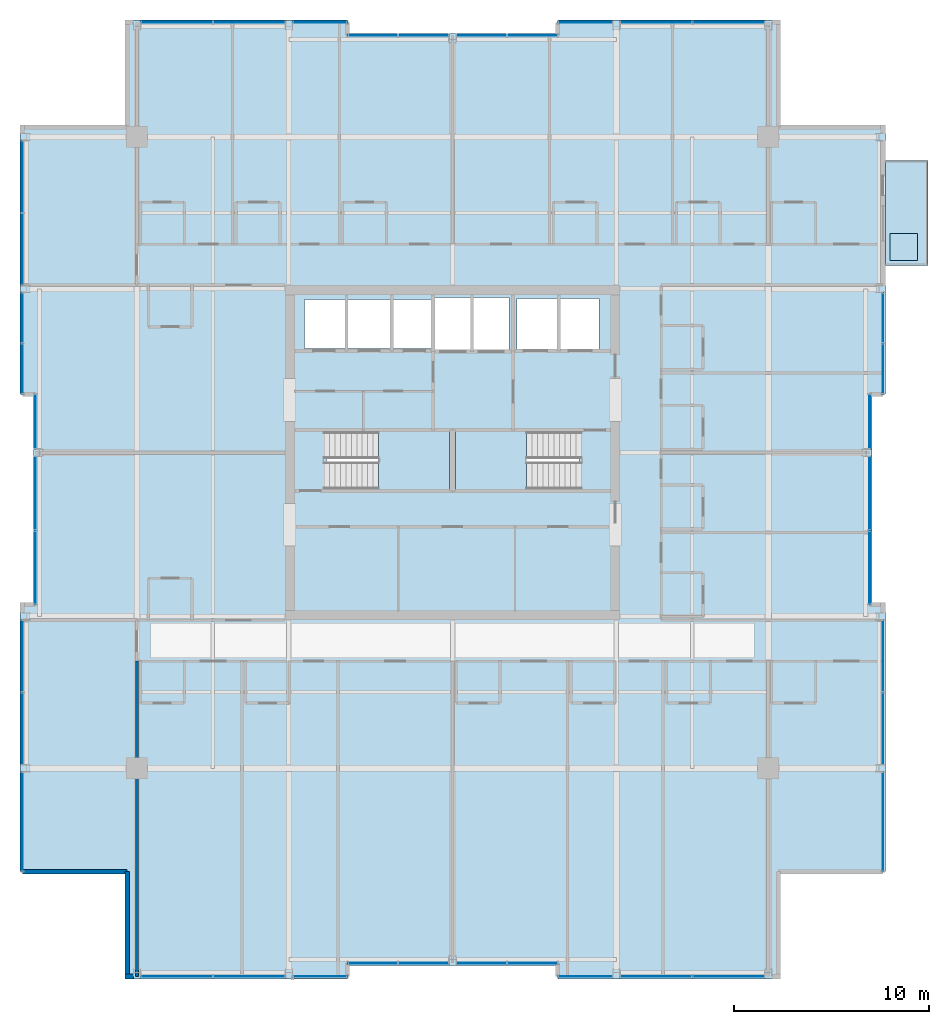
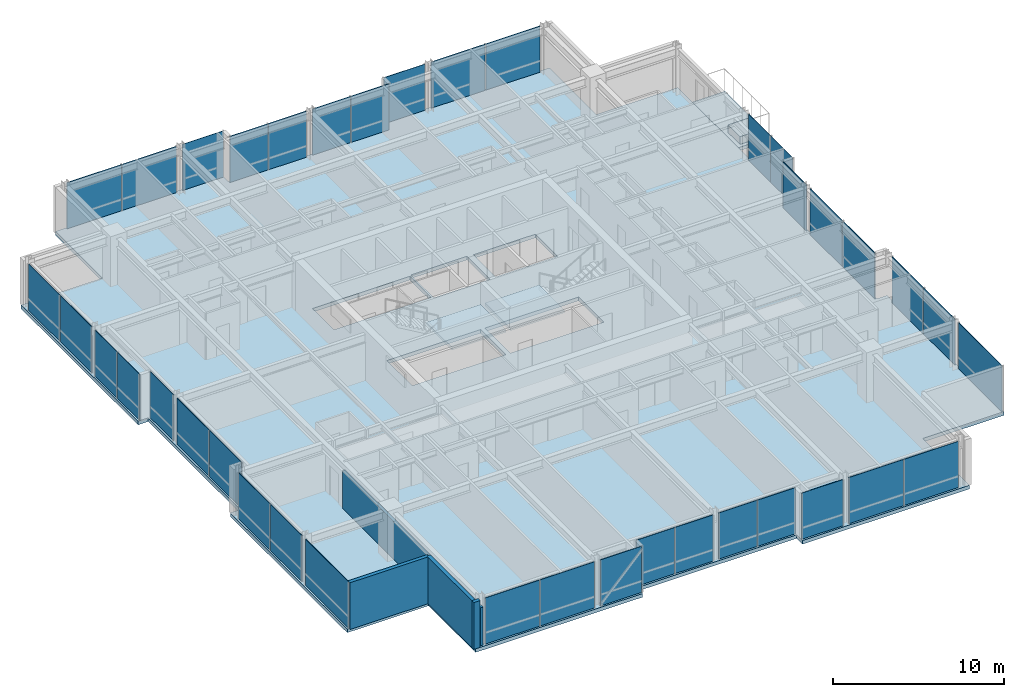
# One storey, part 26 of 34: 38 plates, 5 slabs, 4 walls, 25 elements without a shape of their own.
"""IFC4 building model written with IfcOpenShell, lengths in metres."""

from ifc_helpers import new_model, si_unit, direction, frame, frame_2d, origin, origin_2d, place, context, subcontext, project, spatial, polyline, rectangle, outline, extrude, material, layer, layer_set, type_object, element, aggregate, save


model = new_model("IFC4")

# Units and contexts
model_context = context("Model", 3, precision=1e-05, world=origin(), true_north=direction((0.0, 1.0)))
body_context = subcontext(model_context, "Body", "Model", "MODEL_VIEW")
ifc_project = project(units=[si_unit("LENGTHUNIT", "METRE"), si_unit("AREAUNIT", "SQUARE_METRE"), si_unit("VOLUMEUNIT", "CUBIC_METRE"), si_unit("PLANEANGLEUNIT", "RADIAN"), si_unit("MASSUNIT", "GRAM", prefix="KILO")], contexts=[model_context])

# Site, building, storey
site_placement = place(None, origin())
site = spatial("IfcSite", under=ifc_project, at=site_placement, CompositionType="ELEMENT")
building_placement = place(site_placement, origin())
building = spatial("IfcBuilding", under=site, at=building_placement, Name="Drelvath Grand Hotel", CompositionType="ELEMENT")
storey_placement = place(building_placement, frame((0.0, 0.0, 208.699951171875)))
storey = spatial("IfcBuildingStorey", under=building, at=storey_placement, Name="L54", CompositionType="ELEMENT", Elevation=208.699951171875)

# Slabs
ifc_material_1 = material(Name="Concrete f'c 40 MPa", Category="concrete")
ifc_layer_1 = layer(ifc_material_1, 0.239990234375)
ifc_layer_set_1 = layer_set([ifc_layer_1], Name="Concrete f'c 40 MPa")
slab_type_1 = type_object("IfcSlabType", Name="Cantilevered Tree Balcony Slab 240", PredefinedType="FLOOR", material=ifc_layer_set_1)
slab_1_placement = place(storey_placement, frame((0.0, 0.0, -0.239990234375)))
element("IfcSlab", 1, at=slab_1_placement, inside=storey, type_object=slab_type_1, Name="L54 Cantilevered Tree Balcony Slab 1", PredefinedType="FLOOR", context=body_context, shape_type="SweptSolid", body=[
    extrude(outline(polyline([(22.199951171875, 36.60009765625), (24.39990234375, 36.60009765625), (24.39990234375, 42.0), (22.199951171875, 42.0), (22.199951171875, 36.60009765625)])), origin(), (0.0, 0.0, 1.0), 0.239990234375),
])
ifc_layer_2 = layer(ifc_material_1, 0.260009765625)
ifc_layer_set_2 = layer_set([ifc_layer_2], Name="Concrete f'c 40 MPa")
slab_type_2 = type_object("IfcSlabType", Name="Composite RC Floor Slab 260", PredefinedType="FLOOR", material=ifc_layer_set_2)
slab_2_placement = place(storey_placement, frame((0.0, 0.0, -0.260009765625)))
element("IfcSlab", 2, at=slab_2_placement, inside=storey, type_object=slab_type_2, Name="L54 Structural Floor Slab", PredefinedType="FLOOR", context=body_context, shape_type="SweptSolid", body=[
    extrude(outline(polyline([(-16.699951171875, 0.0), (-5.39990234375, 0.0), (-5.39990234375, 0.679931640625), (5.39990234375, 0.679931640625), (5.39990234375, 0.0), (16.699951171875, 0.0), (16.699951171875, 5.5), (22.199951171875, 5.5), (22.199951171875, 19.199951171875), (21.52001953125, 19.199951171875), (21.52001953125, 30.0), (22.199951171875, 30.0), (22.199951171875, 43.699951171875), (16.699951171875, 43.699951171875), (16.699951171875, 49.199951171875), (5.39990234375, 49.199951171875), (5.39990234375, 48.52001953125), (-5.39990234375, 48.52001953125), (-5.39990234375, 49.199951171875), (-16.699951171875, 49.199951171875), (-16.699951171875, 43.699951171875), (-22.199951171875, 43.699951171875), (-22.199951171875, 30.0), (-21.52001953125, 30.0), (-21.52001953125, 19.199951171875), (-22.199951171875, 19.199951171875), (-22.199951171875, 5.5), (-16.699951171875, 5.5), (-16.699951171875, 0.0)]), holes=[polyline([(-6.47998046875, 25.1201171875), (-6.47998046875, 28.080078125), (-0.14990234375, 28.080078125), (-0.14990234375, 25.1201171875), (-6.47998046875, 25.1201171875)]), polyline([(0.14990234375, 25.1201171875), (0.14990234375, 28.080078125), (6.47998046875, 28.080078125), (6.47998046875, 25.1201171875), (0.14990234375, 25.1201171875)]), polyline([(-7.60009765625, 32.35009765625), (-7.60009765625, 34.85009765625), (-1.02001953125, 34.85009765625), (-1.02001953125, 32.35009765625), (-7.60009765625, 32.35009765625)]), polyline([(-0.89990234375, 32.25), (-0.89990234375, 34.949951171875), (2.89990234375, 34.949951171875), (2.89990234375, 32.25), (-0.89990234375, 32.25)]), polyline([(3.300048828125, 32.300048828125), (3.300048828125, 34.89990234375), (7.5, 34.89990234375), (7.5, 32.300048828125), (3.300048828125, 32.300048828125)])]), origin(), (0.0, 0.0, 1.0), 0.260009765625),
])

# Stair, slab
ifc_material_2 = material(Name="Concrete C40/50", Category="concrete")
stair_type = type_object("IfcStairType", Name="Dogleg Exit Stair W1400-R163.6", PredefinedType="HALF_TURN_STAIR", material=ifc_material_2)
stair_1_placement = place(storey_placement, origin())
stair_1 = element("IfcStair", 3, at=stair_1_placement, inside=storey, type_object=stair_type, Name="L54 Core Exit Stair ST-1", PredefinedType="HALF_TURN_STAIR")
ifc_layer_3 = layer(ifc_material_2, 0.199951171875)
ifc_layer_set_3 = layer_set([ifc_layer_3], Name="Concrete C40/50")
slab_type_3 = type_object("IfcSlabType", Name="Concrete Stair Landing Slab 200", PredefinedType="LANDING", material=ifc_layer_set_3)
slab_3_placement = place(storey_placement, frame((0.0, 0.0, 1.60009765625)))
slab_3 = element("IfcSlab", 4, at=slab_3_placement, type_object=slab_type_3, Name="ST-1 landing 1", PredefinedType="LANDING", context=body_context, shape_type="SweptSolid", body=[
    extrude(outline(polyline([(-3.800048828125, 25.1201171875), (-0.14990234375, 25.1201171875), (-0.14990234375, 28.080078125), (-3.800048828125, 28.080078125), (-3.800048828125, 25.1201171875)])), origin(), (0.0, 0.0, 1.0), 0.199951171875),
])
aggregate(stair_1, [slab_3])

stair_2_placement = place(storey_placement, origin())
stair_2 = element("IfcStair", 5, at=stair_2_placement, inside=storey, type_object=stair_type, Name="L54 Core Exit Stair ST-2", PredefinedType="HALF_TURN_STAIR")
slab_4_placement = place(storey_placement, frame((0.0, 0.0, 1.60009765625)))
slab_4 = element("IfcSlab", 6, at=slab_4_placement, type_object=slab_type_3, Name="ST-2 landing 1", PredefinedType="LANDING", context=body_context, shape_type="SweptSolid", body=[
    extrude(outline(polyline([(3.800048828125, 28.080078125), (0.14990234375, 28.080078125), (0.14990234375, 25.1201171875), (3.800048828125, 25.1201171875), (3.800048828125, 28.080078125)])), origin(), (0.0, 0.0, 1.0), 0.199951171875),
])
aggregate(stair_2, [slab_4])

# Curtain wall, plate
ifc_material_3 = material(Name="Platinum-Mist Anodised Aluminium Frame", Category="aluminium")
ifc_layer_4 = layer(ifc_material_3, 0.199951171875)
ifc_layer_set_4 = layer_set([ifc_layer_4], Name="Platinum-Mist Anodised Aluminium Frame")
curtain_wall_type = type_object("IfcCurtainWallType", Name="Stick Curtain Wall CW-05 Platinum Mist High-Rise", PredefinedType="NOTDEFINED", material=ifc_layer_set_4)
curtain_wall_1_placement = place(storey_placement, origin())
curtain_wall_1 = element("IfcCurtainWall", 7, at=curtain_wall_1_placement, inside=storey, type_object=curtain_wall_type, Name="L54 CW-05 Curtain Wall CW05-L54-WS1", PredefinedType="NOTDEFINED")
ifc_material_4 = material(Name="Low-E Triple Silver High-Altitude Glass", Category="glass")
ifc_layer_5 = layer(ifc_material_4, 0.035888671875)
ifc_layer_set_5 = layer_set([ifc_layer_5], Name="Low-E Triple Silver High-Altitude Glass")
plate_type = type_object("IfcPlateType", Name="Curtain Wall Vision Panel CW-05 36mm", PredefinedType="CURTAIN_PANEL", material=ifc_layer_set_5)
plate_1_placement = place(storey_placement, frame((-22.080078125, 8.057373046875, 0.02001953125), z_axis=(0.0, 0.0, 1.0), x_axis=(0.0, 1.0, 0.0)))
plate_1 = element("IfcPlate", 8, at=plate_1_placement, type_object=plate_type, Name="CW05-L54-WS1 Glazed Panel 1", PredefinedType="CURTAIN_PANEL", context=body_context, shape_type="SweptSolid", body=[
    extrude(rectangle(XDim=5.07470703125, YDim=0.035888671875, at=origin_2d()), origin(), (0.0, 0.0, 1.0), 3.300048828125),
])
aggregate(curtain_wall_1, [plate_1])

# Curtain wall, plates
curtain_wall_2_placement = place(storey_placement, origin())
curtain_wall_2 = element("IfcCurtainWall", 9, at=curtain_wall_2_placement, inside=storey, type_object=curtain_wall_type, Name="L54 CW-05 Curtain Wall CW05-L54-WS2", PredefinedType="NOTDEFINED")
plate_2_placement = place(storey_placement, frame((-22.080078125, 12.842529296875, 0.02001953125), z_axis=(0.0, 0.0, 1.0), x_axis=(0.0, 1.0, 0.0)))
plate_2 = element("IfcPlate", 10, at=plate_2_placement, type_object=plate_type, Name="CW05-L54-WS2 Glazed Panel 1", PredefinedType="CURTAIN_PANEL", context=body_context, shape_type="SweptSolid", body=[
    extrude(rectangle(XDim=3.6748046875, YDim=0.035888671875, at=origin_2d()), origin(), (0.0, 0.0, 1.0), 3.300048828125),
])
plate_3_placement = place(storey_placement, frame((-22.080078125, 16.557373046875, 0.02001953125), z_axis=(0.0, 0.0, 1.0), x_axis=(0.0, 1.0, 0.0)))
plate_3 = element("IfcPlate", 11, at=plate_3_placement, type_object=plate_type, Name="CW05-L54-WS2 Glazed Panel 2", PredefinedType="CURTAIN_PANEL", context=body_context, shape_type="SweptSolid", body=[
    extrude(rectangle(XDim=3.6748046875, YDim=0.035888671875, at=origin_2d()), origin(), (0.0, 0.0, 1.0), 3.300048828125),
])
aggregate(curtain_wall_2, [plate_2, plate_3])

curtain_wall_3_placement = place(storey_placement, origin())
curtain_wall_3 = element("IfcCurtainWall", 12, at=curtain_wall_3_placement, inside=storey, type_object=curtain_wall_type, Name="L54 CW-05 Curtain Wall CW05-L54-WM1", PredefinedType="NOTDEFINED")
plate_4_placement = place(storey_placement, frame((-21.39990234375, 21.103759765625, 0.02001953125), z_axis=(0.0, 0.0, 1.0), x_axis=(0.0, 1.0, 0.0)))
plate_4 = element("IfcPlate", 13, at=plate_4_placement, type_object=plate_type, Name="CW05-L54-WM1 Glazed Panel 1", PredefinedType="CURTAIN_PANEL", context=body_context, shape_type="SweptSolid", body=[
    extrude(rectangle(XDim=3.767333984375, YDim=0.035888671875, at=origin_2d()), origin(), (0.0, 0.0, 1.0), 3.300048828125),
])
plate_5_placement = place(storey_placement, frame((-21.39990234375, 24.910888671875, 0.02001953125), z_axis=(0.0, 0.0, 1.0), x_axis=(0.0, 1.0, 0.0)))
plate_5 = element("IfcPlate", 14, at=plate_5_placement, type_object=plate_type, Name="CW05-L54-WM1 Glazed Panel 2", PredefinedType="CURTAIN_PANEL", context=body_context, shape_type="SweptSolid", body=[
    extrude(rectangle(XDim=3.767333984375, YDim=0.035888671875, at=origin_2d()), origin(), (0.0, 0.0, 1.0), 3.300048828125),
])
aggregate(curtain_wall_3, [plate_4, plate_5])

# Curtain wall, plate
curtain_wall_4_placement = place(storey_placement, origin())
curtain_wall_4 = element("IfcCurtainWall", 15, at=curtain_wall_4_placement, inside=storey, type_object=curtain_wall_type, Name="L54 CW-05 Curtain Wall CW05-L54-WM2", PredefinedType="NOTDEFINED")
plate_6_placement = place(storey_placement, frame((-21.39990234375, 28.592529296875, 0.02001953125), z_axis=(0.0, 0.0, 1.0), x_axis=(0.0, 1.0, 0.0)))
plate_6 = element("IfcPlate", 16, at=plate_6_placement, type_object=plate_type, Name="CW05-L54-WM2 Glazed Panel 1", PredefinedType="CURTAIN_PANEL", context=body_context, shape_type="SweptSolid", body=[
    extrude(rectangle(XDim=2.774658203125, YDim=0.035888671875, at=origin_2d()), origin(), (0.0, 0.0, 1.0), 3.300048828125),
])
aggregate(curtain_wall_4, [plate_6])

# Curtain wall, plates
curtain_wall_5_placement = place(storey_placement, origin())
curtain_wall_5 = element("IfcCurtainWall", 17, at=curtain_wall_5_placement, inside=storey, type_object=curtain_wall_type, Name="L54 CW-05 Curtain Wall CW05-L54-WN1", PredefinedType="NOTDEFINED")
plate_7_placement = place(storey_placement, frame((-22.080078125, 31.3037109375, 0.02001953125), z_axis=(0.0, 0.0, 1.0), x_axis=(0.0, 1.0, 0.0)))
plate_7 = element("IfcPlate", 18, at=plate_7_placement, type_object=plate_type, Name="CW05-L54-WN1 Glazed Panel 1", PredefinedType="CURTAIN_PANEL", context=body_context, shape_type="SweptSolid", body=[
    extrude(rectangle(XDim=2.5673828125, YDim=0.035888671875, at=origin_2d()), origin(), (0.0, 0.0, 1.0), 3.300048828125),
])
plate_8_placement = place(storey_placement, frame((-22.080078125, 33.9111328125, 0.02001953125), z_axis=(0.0, 0.0, 1.0), x_axis=(0.0, 1.0, 0.0)))
plate_8 = element("IfcPlate", 19, at=plate_8_placement, type_object=plate_type, Name="CW05-L54-WN1 Glazed Panel 2", PredefinedType="CURTAIN_PANEL", context=body_context, shape_type="SweptSolid", body=[
    extrude(rectangle(XDim=2.5673828125, YDim=0.035888671875, at=origin_2d()), origin(), (0.0, 0.0, 1.0), 3.300048828125),
])
aggregate(curtain_wall_5, [plate_7, plate_8])

curtain_wall_6_placement = place(storey_placement, origin())
curtain_wall_6 = element("IfcCurtainWall", 20, at=curtain_wall_6_placement, inside=storey, type_object=curtain_wall_type, Name="L54 CW-05 Curtain Wall CW05-L54-WN2", PredefinedType="NOTDEFINED")
plate_9_placement = place(storey_placement, frame((-22.080078125, 37.442626953125, 0.02001953125), z_axis=(0.0, 0.0, 1.0), x_axis=(0.0, 1.0, 0.0)))
plate_9 = element("IfcPlate", 21, at=plate_9_placement, type_object=plate_type, Name="CW05-L54-WN2 Glazed Panel 1", PredefinedType="CURTAIN_PANEL", context=body_context, shape_type="SweptSolid", body=[
    extrude(rectangle(XDim=3.6748046875, YDim=0.035888671875, at=origin_2d()), origin(), (0.0, 0.0, 1.0), 3.300048828125),
])
plate_10_placement = place(storey_placement, frame((-22.080078125, 41.157470703125, 0.02001953125), z_axis=(0.0, 0.0, 1.0), x_axis=(0.0, 1.0, 0.0)))
plate_10 = element("IfcPlate", 22, at=plate_10_placement, type_object=plate_type, Name="CW05-L54-WN2 Glazed Panel 2", PredefinedType="CURTAIN_PANEL", context=body_context, shape_type="SweptSolid", body=[
    extrude(rectangle(XDim=3.6748046875, YDim=0.035888671875, at=origin_2d()), origin(), (0.0, 0.0, 1.0), 3.300048828125),
])
aggregate(curtain_wall_6, [plate_9, plate_10])

curtain_wall_7_placement = place(storey_placement, origin())
curtain_wall_7 = element("IfcCurtainWall", 23, at=curtain_wall_7_placement, inside=storey, type_object=curtain_wall_type, Name="L54 CW-05 Curtain Wall CW05-L54-EN1", PredefinedType="NOTDEFINED")
plate_11_placement = place(storey_placement, frame((22.080078125, 33.9111328125, 0.02001953125), z_axis=(0.0, 0.0, 1.0), x_axis=(0.0, -1.0, 0.0)))
plate_11 = element("IfcPlate", 24, at=plate_11_placement, type_object=plate_type, Name="CW05-L54-EN1 Glazed Panel 1", PredefinedType="CURTAIN_PANEL", context=body_context, shape_type="SweptSolid", body=[
    extrude(rectangle(XDim=2.5673828125, YDim=0.035888671875, at=origin_2d()), origin(), (0.0, 0.0, 1.0), 3.300048828125),
])
plate_12_placement = place(storey_placement, frame((22.080078125, 31.3037109375, 0.02001953125), z_axis=(0.0, 0.0, 1.0), x_axis=(0.0, -1.0, 0.0)))
plate_12 = element("IfcPlate", 25, at=plate_12_placement, type_object=plate_type, Name="CW05-L54-EN1 Glazed Panel 2", PredefinedType="CURTAIN_PANEL", context=body_context, shape_type="SweptSolid", body=[
    extrude(rectangle(XDim=2.5673828125, YDim=0.035888671875, at=origin_2d()), origin(), (0.0, 0.0, 1.0), 3.300048828125),
])
aggregate(curtain_wall_7, [plate_11, plate_12])

curtain_wall_8_placement = place(storey_placement, origin())
curtain_wall_8 = element("IfcCurtainWall", 26, at=curtain_wall_8_placement, inside=storey, type_object=curtain_wall_type, Name="L54 CW-05 Curtain Wall CW05-L54-EM1", PredefinedType="NOTDEFINED")
plate_13_placement = place(storey_placement, frame((21.39990234375, 24.910888671875, 0.02001953125), z_axis=(0.0, 0.0, 1.0), x_axis=(0.0, -1.0, 0.0)))
plate_13 = element("IfcPlate", 27, at=plate_13_placement, type_object=plate_type, Name="CW05-L54-EM1 Glazed Panel 1", PredefinedType="CURTAIN_PANEL", context=body_context, shape_type="SweptSolid", body=[
    extrude(rectangle(XDim=3.767333984375, YDim=0.035888671875, at=origin_2d()), origin(), (0.0, 0.0, 1.0), 3.300048828125),
])
plate_14_placement = place(storey_placement, frame((21.39990234375, 21.103759765625, 0.02001953125), z_axis=(0.0, 0.0, 1.0), x_axis=(0.0, -1.0, 0.0)))
plate_14 = element("IfcPlate", 28, at=plate_14_placement, type_object=plate_type, Name="CW05-L54-EM1 Glazed Panel 2", PredefinedType="CURTAIN_PANEL", context=body_context, shape_type="SweptSolid", body=[
    extrude(rectangle(XDim=3.767333984375, YDim=0.035888671875, at=origin_2d()), origin(), (0.0, 0.0, 1.0), 3.300048828125),
])
aggregate(curtain_wall_8, [plate_13, plate_14])

# Curtain wall, plate
curtain_wall_9_placement = place(storey_placement, origin())
curtain_wall_9 = element("IfcCurtainWall", 29, at=curtain_wall_9_placement, inside=storey, type_object=curtain_wall_type, Name="L54 CW-05 Curtain Wall CW05-L54-EM2", PredefinedType="NOTDEFINED")
plate_15_placement = place(storey_placement, frame((21.39990234375, 28.592529296875, 0.02001953125), z_axis=(0.0, 0.0, 1.0), x_axis=(0.0, -1.0, 0.0)))
plate_15 = element("IfcPlate", 30, at=plate_15_placement, type_object=plate_type, Name="CW05-L54-EM2 Glazed Panel 1", PredefinedType="CURTAIN_PANEL", context=body_context, shape_type="SweptSolid", body=[
    extrude(rectangle(XDim=2.774658203125, YDim=0.035888671875, at=origin_2d()), origin(), (0.0, 0.0, 1.0), 3.300048828125),
])
aggregate(curtain_wall_9, [plate_15])

curtain_wall_10_placement = place(storey_placement, origin())
curtain_wall_10 = element("IfcCurtainWall", 31, at=curtain_wall_10_placement, inside=storey, type_object=curtain_wall_type, Name="L54 CW-05 Curtain Wall CW05-L54-ES1", PredefinedType="NOTDEFINED")
plate_16_placement = place(storey_placement, frame((22.080078125, 8.057373046875, 0.02001953125), z_axis=(0.0, 0.0, 1.0), x_axis=(0.0, -1.0, 0.0)))
plate_16 = element("IfcPlate", 32, at=plate_16_placement, type_object=plate_type, Name="CW05-L54-ES1 Glazed Panel 1", PredefinedType="CURTAIN_PANEL", context=body_context, shape_type="SweptSolid", body=[
    extrude(rectangle(XDim=5.07470703125, YDim=0.035888671875, at=origin_2d()), origin(), (0.0, 0.0, 1.0), 3.300048828125),
])
aggregate(curtain_wall_10, [plate_16])

# Curtain wall, plates
curtain_wall_11_placement = place(storey_placement, origin())
curtain_wall_11 = element("IfcCurtainWall", 33, at=curtain_wall_11_placement, inside=storey, type_object=curtain_wall_type, Name="L54 CW-05 Curtain Wall CW05-L54-ES2", PredefinedType="NOTDEFINED")
plate_17_placement = place(storey_placement, frame((22.080078125, 16.557373046875, 0.02001953125), z_axis=(0.0, 0.0, 1.0), x_axis=(0.0, -1.0, 0.0)))
plate_17 = element("IfcPlate", 34, at=plate_17_placement, type_object=plate_type, Name="CW05-L54-ES2 Glazed Panel 1", PredefinedType="CURTAIN_PANEL", context=body_context, shape_type="SweptSolid", body=[
    extrude(rectangle(XDim=3.6748046875, YDim=0.035888671875, at=origin_2d()), origin(), (0.0, 0.0, 1.0), 3.300048828125),
])
plate_18_placement = place(storey_placement, frame((22.080078125, 12.842529296875, 0.02001953125), z_axis=(0.0, 0.0, 1.0), x_axis=(0.0, -1.0, 0.0)))
plate_18 = element("IfcPlate", 35, at=plate_18_placement, type_object=plate_type, Name="CW05-L54-ES2 Glazed Panel 2", PredefinedType="CURTAIN_PANEL", context=body_context, shape_type="SweptSolid", body=[
    extrude(rectangle(XDim=3.6748046875, YDim=0.035888671875, at=origin_2d()), origin(), (0.0, 0.0, 1.0), 3.300048828125),
])
aggregate(curtain_wall_11, [plate_17, plate_18])

curtain_wall_12_placement = place(storey_placement, origin())
curtain_wall_12 = element("IfcCurtainWall", 36, at=curtain_wall_12_placement, inside=storey, type_object=curtain_wall_type, Name="L54 CW-05 Curtain Wall CW05-L54-NW2", PredefinedType="NOTDEFINED")
plate_19_placement = place(storey_placement, frame((-14.157470703125, 49.080078125, 0.02001953125), z_axis=(0.0, 0.0, 1.0), x_axis=(1.0, 0.0, 0.0)))
plate_19 = element("IfcPlate", 37, at=plate_19_placement, type_object=plate_type, Name="CW05-L54-NW2 Glazed Panel 1", PredefinedType="CURTAIN_PANEL", context=body_context, shape_type="SweptSolid", body=[
    extrude(rectangle(XDim=3.6748046875, YDim=0.035888671875, at=origin_2d()), origin(), (0.0, 0.0, 1.0), 3.300048828125),
])
plate_20_placement = place(storey_placement, frame((-10.442626953125, 49.080078125, 0.02001953125), z_axis=(0.0, 0.0, 1.0), x_axis=(1.0, 0.0, 0.0)))
plate_20 = element("IfcPlate", 38, at=plate_20_placement, type_object=plate_type, Name="CW05-L54-NW2 Glazed Panel 2", PredefinedType="CURTAIN_PANEL", context=body_context, shape_type="SweptSolid", body=[
    extrude(rectangle(XDim=3.6748046875, YDim=0.035888671875, at=origin_2d()), origin(), (0.0, 0.0, 1.0), 3.300048828125),
])
aggregate(curtain_wall_12, [plate_19, plate_20])

# Curtain wall, plate
curtain_wall_13_placement = place(storey_placement, origin())
curtain_wall_13 = element("IfcCurtainWall", 39, at=curtain_wall_13_placement, inside=storey, type_object=curtain_wall_type, Name="L54 CW-05 Curtain Wall CW05-L54-NW3", PredefinedType="NOTDEFINED")
plate_21_placement = place(storey_placement, frame((-6.807373046875, 49.080078125, 0.02001953125), z_axis=(0.0, 0.0, 1.0), x_axis=(1.0, 0.0, 0.0)))
plate_21 = element("IfcPlate", 40, at=plate_21_placement, type_object=plate_type, Name="CW05-L54-NW3 Glazed Panel 1", PredefinedType="CURTAIN_PANEL", context=body_context, shape_type="SweptSolid", body=[
    extrude(rectangle(XDim=2.774658203125, YDim=0.035888671875, at=origin_2d()), origin(), (0.0, 0.0, 1.0), 3.300048828125),
])
aggregate(curtain_wall_13, [plate_21])

# Curtain wall, plates
curtain_wall_14_placement = place(storey_placement, origin())
curtain_wall_14 = element("IfcCurtainWall", 41, at=curtain_wall_14_placement, inside=storey, type_object=curtain_wall_type, Name="L54 CW-05 Curtain Wall CW05-L54-NM1", PredefinedType="NOTDEFINED")
plate_22_placement = place(storey_placement, frame((-4.096435546875, 48.39990234375, 0.02001953125), z_axis=(0.0, 0.0, 1.0), x_axis=(1.0, 0.0, 0.0)))
plate_22 = element("IfcPlate", 42, at=plate_22_placement, type_object=plate_type, Name="CW05-L54-NM1 Glazed Panel 1", PredefinedType="CURTAIN_PANEL", context=body_context, shape_type="SweptSolid", body=[
    extrude(rectangle(XDim=2.5673828125, YDim=0.035888671875, at=origin_2d()), origin(), (0.0, 0.0, 1.0), 3.300048828125),
])
plate_23_placement = place(storey_placement, frame((-1.489013671875, 48.39990234375, 0.02001953125), z_axis=(0.0, 0.0, 1.0), x_axis=(1.0, 0.0, 0.0)))
plate_23 = element("IfcPlate", 43, at=plate_23_placement, type_object=plate_type, Name="CW05-L54-NM1 Glazed Panel 2", PredefinedType="CURTAIN_PANEL", context=body_context, shape_type="SweptSolid", body=[
    extrude(rectangle(XDim=2.5673828125, YDim=0.035888671875, at=origin_2d()), origin(), (0.0, 0.0, 1.0), 3.300048828125),
])
aggregate(curtain_wall_14, [plate_22, plate_23])

curtain_wall_15_placement = place(storey_placement, origin())
curtain_wall_15 = element("IfcCurtainWall", 44, at=curtain_wall_15_placement, inside=storey, type_object=curtain_wall_type, Name="L54 CW-05 Curtain Wall CW05-L54-NM2", PredefinedType="NOTDEFINED")
plate_24_placement = place(storey_placement, frame((1.489013671875, 48.39990234375, 0.02001953125), z_axis=(0.0, 0.0, 1.0), x_axis=(1.0, 0.0, 0.0)))
plate_24 = element("IfcPlate", 45, at=plate_24_placement, type_object=plate_type, Name="CW05-L54-NM2 Glazed Panel 1", PredefinedType="CURTAIN_PANEL", context=body_context, shape_type="SweptSolid", body=[
    extrude(rectangle(XDim=2.5673828125, YDim=0.035888671875, at=origin_2d()), origin(), (0.0, 0.0, 1.0), 3.300048828125),
])
plate_25_placement = place(storey_placement, frame((4.096435546875, 48.39990234375, 0.02001953125), z_axis=(0.0, 0.0, 1.0), x_axis=(1.0, 0.0, 0.0)))
plate_25 = element("IfcPlate", 46, at=plate_25_placement, type_object=plate_type, Name="CW05-L54-NM2 Glazed Panel 2", PredefinedType="CURTAIN_PANEL", context=body_context, shape_type="SweptSolid", body=[
    extrude(rectangle(XDim=2.5673828125, YDim=0.035888671875, at=origin_2d()), origin(), (0.0, 0.0, 1.0), 3.300048828125),
])
aggregate(curtain_wall_15, [plate_24, plate_25])

# Curtain wall, plate
curtain_wall_16_placement = place(storey_placement, origin())
curtain_wall_16 = element("IfcCurtainWall", 47, at=curtain_wall_16_placement, inside=storey, type_object=curtain_wall_type, Name="L54 CW-05 Curtain Wall CW05-L54-NE1", PredefinedType="NOTDEFINED")
plate_26_placement = place(storey_placement, frame((6.807373046875, 49.080078125, 0.02001953125), z_axis=(0.0, 0.0, 1.0), x_axis=(1.0, 0.0, 0.0)))
plate_26 = element("IfcPlate", 48, at=plate_26_placement, type_object=plate_type, Name="CW05-L54-NE1 Glazed Panel 1", PredefinedType="CURTAIN_PANEL", context=body_context, shape_type="SweptSolid", body=[
    extrude(rectangle(XDim=2.774658203125, YDim=0.035888671875, at=origin_2d()), origin(), (0.0, 0.0, 1.0), 3.300048828125),
])
aggregate(curtain_wall_16, [plate_26])

# Curtain wall, plates
curtain_wall_17_placement = place(storey_placement, origin())
curtain_wall_17 = element("IfcCurtainWall", 49, at=curtain_wall_17_placement, inside=storey, type_object=curtain_wall_type, Name="L54 CW-05 Curtain Wall CW05-L54-NE2", PredefinedType="NOTDEFINED")
plate_27_placement = place(storey_placement, frame((10.442626953125, 49.080078125, 0.02001953125), z_axis=(0.0, 0.0, 1.0), x_axis=(1.0, 0.0, 0.0)))
plate_27 = element("IfcPlate", 50, at=plate_27_placement, type_object=plate_type, Name="CW05-L54-NE2 Glazed Panel 1", PredefinedType="CURTAIN_PANEL", context=body_context, shape_type="SweptSolid", body=[
    extrude(rectangle(XDim=3.6748046875, YDim=0.035888671875, at=origin_2d()), origin(), (0.0, 0.0, 1.0), 3.300048828125),
])
plate_28_placement = place(storey_placement, frame((14.157470703125, 49.080078125, 0.02001953125), z_axis=(0.0, 0.0, 1.0), x_axis=(1.0, 0.0, 0.0)))
plate_28 = element("IfcPlate", 51, at=plate_28_placement, type_object=plate_type, Name="CW05-L54-NE2 Glazed Panel 2", PredefinedType="CURTAIN_PANEL", context=body_context, shape_type="SweptSolid", body=[
    extrude(rectangle(XDim=3.6748046875, YDim=0.035888671875, at=origin_2d()), origin(), (0.0, 0.0, 1.0), 3.300048828125),
])
aggregate(curtain_wall_17, [plate_27, plate_28])

# Curtain wall, plate
curtain_wall_18_placement = place(storey_placement, origin())
curtain_wall_18 = element("IfcCurtainWall", 52, at=curtain_wall_18_placement, inside=storey, type_object=curtain_wall_type, Name="L54 CW-05 Curtain Wall CW05-L54-SE1", PredefinedType="NOTDEFINED")
plate_29_placement = place(storey_placement, frame((6.807373046875, 0.1201171875, 0.02001953125), z_axis=(0.0, 0.0, 1.0), x_axis=(-1.0, 0.0, 0.0)))
plate_29 = element("IfcPlate", 53, at=plate_29_placement, type_object=plate_type, Name="CW05-L54-SE1 Glazed Panel 1", PredefinedType="CURTAIN_PANEL", context=body_context, shape_type="SweptSolid", body=[
    extrude(rectangle(XDim=2.774658203125, YDim=0.035888671875, at=origin_2d()), origin(), (0.0, 0.0, 1.0), 3.300048828125),
])
aggregate(curtain_wall_18, [plate_29])

# Curtain wall, plates
curtain_wall_19_placement = place(storey_placement, origin())
curtain_wall_19 = element("IfcCurtainWall", 54, at=curtain_wall_19_placement, inside=storey, type_object=curtain_wall_type, Name="L54 CW-05 Curtain Wall CW05-L54-SE2", PredefinedType="NOTDEFINED")
plate_30_placement = place(storey_placement, frame((14.157470703125, 0.1201171875, 0.02001953125), z_axis=(0.0, 0.0, 1.0), x_axis=(-1.0, 0.0, 0.0)))
plate_30 = element("IfcPlate", 55, at=plate_30_placement, type_object=plate_type, Name="CW05-L54-SE2 Glazed Panel 1", PredefinedType="CURTAIN_PANEL", context=body_context, shape_type="SweptSolid", body=[
    extrude(rectangle(XDim=3.6748046875, YDim=0.035888671875, at=origin_2d()), origin(), (0.0, 0.0, 1.0), 3.300048828125),
])
plate_31_placement = place(storey_placement, frame((10.442626953125, 0.1201171875, 0.02001953125), z_axis=(0.0, 0.0, 1.0), x_axis=(-1.0, 0.0, 0.0)))
plate_31 = element("IfcPlate", 56, at=plate_31_placement, type_object=plate_type, Name="CW05-L54-SE2 Glazed Panel 2", PredefinedType="CURTAIN_PANEL", context=body_context, shape_type="SweptSolid", body=[
    extrude(rectangle(XDim=3.6748046875, YDim=0.035888671875, at=origin_2d()), origin(), (0.0, 0.0, 1.0), 3.300048828125),
])
aggregate(curtain_wall_19, [plate_30, plate_31])

curtain_wall_20_placement = place(storey_placement, origin())
curtain_wall_20 = element("IfcCurtainWall", 57, at=curtain_wall_20_placement, inside=storey, type_object=curtain_wall_type, Name="L54 CW-05 Curtain Wall CW05-L54-SM1", PredefinedType="NOTDEFINED")
plate_32_placement = place(storey_placement, frame((-1.489013671875, 0.800048828125, 0.02001953125), z_axis=(0.0, 0.0, 1.0), x_axis=(-1.0, 0.0, 0.0)))
plate_32 = element("IfcPlate", 58, at=plate_32_placement, type_object=plate_type, Name="CW05-L54-SM1 Glazed Panel 1", PredefinedType="CURTAIN_PANEL", context=body_context, shape_type="SweptSolid", body=[
    extrude(rectangle(XDim=2.5673828125, YDim=0.035888671875, at=origin_2d()), origin(), (0.0, 0.0, 1.0), 3.300048828125),
])
plate_33_placement = place(storey_placement, frame((-4.096435546875, 0.800048828125, 0.02001953125), z_axis=(0.0, 0.0, 1.0), x_axis=(-1.0, 0.0, 0.0)))
plate_33 = element("IfcPlate", 59, at=plate_33_placement, type_object=plate_type, Name="CW05-L54-SM1 Glazed Panel 2", PredefinedType="CURTAIN_PANEL", context=body_context, shape_type="SweptSolid", body=[
    extrude(rectangle(XDim=2.5673828125, YDim=0.035888671875, at=origin_2d()), origin(), (0.0, 0.0, 1.0), 3.300048828125),
])
aggregate(curtain_wall_20, [plate_32, plate_33])

curtain_wall_21_placement = place(storey_placement, origin())
curtain_wall_21 = element("IfcCurtainWall", 60, at=curtain_wall_21_placement, inside=storey, type_object=curtain_wall_type, Name="L54 CW-05 Curtain Wall CW05-L54-SM2", PredefinedType="NOTDEFINED")
plate_34_placement = place(storey_placement, frame((4.096435546875, 0.800048828125, 0.02001953125), z_axis=(0.0, 0.0, 1.0), x_axis=(-1.0, 0.0, 0.0)))
plate_34 = element("IfcPlate", 61, at=plate_34_placement, type_object=plate_type, Name="CW05-L54-SM2 Glazed Panel 1", PredefinedType="CURTAIN_PANEL", context=body_context, shape_type="SweptSolid", body=[
    extrude(rectangle(XDim=2.5673828125, YDim=0.035888671875, at=origin_2d()), origin(), (0.0, 0.0, 1.0), 3.300048828125),
])
plate_35_placement = place(storey_placement, frame((1.489013671875, 0.800048828125, 0.02001953125), z_axis=(0.0, 0.0, 1.0), x_axis=(-1.0, 0.0, 0.0)))
plate_35 = element("IfcPlate", 62, at=plate_35_placement, type_object=plate_type, Name="CW05-L54-SM2 Glazed Panel 2", PredefinedType="CURTAIN_PANEL", context=body_context, shape_type="SweptSolid", body=[
    extrude(rectangle(XDim=2.5673828125, YDim=0.035888671875, at=origin_2d()), origin(), (0.0, 0.0, 1.0), 3.300048828125),
])
aggregate(curtain_wall_21, [plate_34, plate_35])

curtain_wall_22_placement = place(storey_placement, origin())
curtain_wall_22 = element("IfcCurtainWall", 63, at=curtain_wall_22_placement, inside=storey, type_object=curtain_wall_type, Name="L54 CW-05 Curtain Wall CW05-L54-SW2", PredefinedType="NOTDEFINED")
plate_36_placement = place(storey_placement, frame((-10.442626953125, 0.1201171875, 0.02001953125), z_axis=(0.0, 0.0, 1.0), x_axis=(-1.0, 0.0, 0.0)))
plate_36 = element("IfcPlate", 64, at=plate_36_placement, type_object=plate_type, Name="CW05-L54-SW2 Glazed Panel 1", PredefinedType="CURTAIN_PANEL", context=body_context, shape_type="SweptSolid", body=[
    extrude(rectangle(XDim=3.6748046875, YDim=0.035888671875, at=origin_2d()), origin(), (0.0, 0.0, 1.0), 3.300048828125),
])
plate_37_placement = place(storey_placement, frame((-14.157470703125, 0.1201171875, 0.02001953125), z_axis=(0.0, 0.0, 1.0), x_axis=(-1.0, 0.0, 0.0)))
plate_37 = element("IfcPlate", 65, at=plate_37_placement, type_object=plate_type, Name="CW05-L54-SW2 Glazed Panel 2", PredefinedType="CURTAIN_PANEL", context=body_context, shape_type="SweptSolid", body=[
    extrude(rectangle(XDim=3.6748046875, YDim=0.035888671875, at=origin_2d()), origin(), (0.0, 0.0, 1.0), 3.300048828125),
])
aggregate(curtain_wall_22, [plate_36, plate_37])

# Curtain wall, plate
curtain_wall_23_placement = place(storey_placement, origin())
curtain_wall_23 = element("IfcCurtainWall", 66, at=curtain_wall_23_placement, inside=storey, type_object=curtain_wall_type, Name="L54 CW-05 Curtain Wall CW05-L54-SW3", PredefinedType="NOTDEFINED")
plate_38_placement = place(storey_placement, frame((-6.807373046875, 0.1201171875, 0.02001953125), z_axis=(0.0, 0.0, 1.0), x_axis=(-1.0, 0.0, 0.0)))
plate_38 = element("IfcPlate", 67, at=plate_38_placement, type_object=plate_type, Name="CW05-L54-SW3 Glazed Panel 1", PredefinedType="CURTAIN_PANEL", context=body_context, shape_type="SweptSolid", body=[
    extrude(rectangle(XDim=2.774658203125, YDim=0.035888671875, at=origin_2d()), origin(), (0.0, 0.0, 1.0), 3.300048828125),
])
aggregate(curtain_wall_23, [plate_38])

# Slab
ifc_layer_6 = layer(ifc_material_1, 0.550048828125)
ifc_layer_set_6 = layer_set([ifc_layer_6], Name="Concrete f'c 40 MPa")
slab_type_4 = type_object("IfcSlabType", Name="Structural Tree Planter Box 550", PredefinedType="USERDEFINED", material=ifc_layer_set_6)
slab_5_placement = place(storey_placement, origin())
element("IfcSlab", 68, at=slab_5_placement, inside=storey, type_object=slab_type_4, Name="L54 Tree Balcony Structural Planter 1", ObjectType="PLANTER", PredefinedType="USERDEFINED", context=body_context, shape_type="SweptSolid", body=[
    extrude(outline(polyline([(22.449951171875, 36.85009765625), (23.85009765625, 36.85009765625), (23.85009765625, 38.25), (22.449951171875, 38.25), (22.449951171875, 36.85009765625)])), origin(), (0.0, 0.0, 1.0), 0.550048828125),
])

# Walls
ifc_material_5 = material(Name="Gypsum Acoustic Partition")
ifc_layer_7 = layer(ifc_material_5, 0.1650390625)
ifc_layer_set_7 = layer_set([ifc_layer_7], Name="Gypsum Acoustic Partition")
wall_type_1 = type_object("IfcWallType", Name="Suite Demising Wall 165", PredefinedType="PARTITIONING", material=ifc_layer_set_7)
wall_1_placement = place(storey_placement, frame((-16.199951171875, 0.1201171875, 0.0), z_axis=(0.0, 0.0, 1.0), x_axis=(0.0, 1.0, 0.0)))
element("IfcWall", 69, at=wall_1_placement, inside=storey, type_object=wall_type_1, Name="L54 SW Suite Wall", PredefinedType="PARTITIONING", context=body_context, shape_type="SweptSolid", body=[
    extrude(rectangle(XDim=16.179931640625, YDim=0.1650390625, at=frame_2d((8.08984375, 0.0))), origin(), (0.0, 0.0, 1.0), 2.7138671875),
])
ifc_material_6 = material(Name="Pale-Metal Insulated Aluminium Spandrel Assembly", Category="aluminium")
ifc_layer_8 = layer(ifc_material_6, 0.239990234375)
ifc_layer_set_8 = layer_set([ifc_layer_8], Name="Pale-Metal Insulated Aluminium Spandrel Assembly")
wall_type_2 = type_object("IfcWallType", Name="Tower Insulated Metal Spandrel Closure Wall 240", PredefinedType="STANDARD", material=ifc_layer_set_8)
wall_2_placement = place(storey_placement, frame((-16.38525390625, 0.1201171875, 0.0), z_axis=(0.0, 0.0, 1.0), x_axis=(-1.0, 0.0, 0.0)))
element("IfcWall", 70, at=wall_2_placement, inside=storey, type_object=wall_type_2, Name="L54 Corner Pier Spandrel Wall SW1", PredefinedType="STANDARD", context=body_context, shape_type="SweptSolid", body=[
    extrude(rectangle(XDim=0.434814453125, YDim=0.239990234375, at=frame_2d((0.21728515625, 0.0))), origin(), (0.0, 0.0, 1.0), 3.340087890625),
])
wall_3_placement = place(storey_placement, frame((-16.699951171875, 0.239990234375, 0.0), z_axis=(0.0, 0.0, 1.0), x_axis=(0.0, 1.0, 0.0)))
element("IfcWall", 71, at=wall_3_placement, inside=storey, type_object=wall_type_2, Name="L54 Notched Corner Return Spandrel Wall CSW1", PredefinedType="STANDARD", context=body_context, shape_type="SweptSolid", body=[
    extrude(rectangle(XDim=5.260009765625, YDim=0.239990234375, at=frame_2d((2.6298828125, 0.0))), origin(), (0.0, 0.0, 1.0), 3.340087890625),
])
wall_4_placement = place(storey_placement, frame((-16.699951171875, 5.5, 0.0), z_axis=(0.0, 0.0, 1.0), x_axis=(-1.0, 0.0, 0.0)))
element("IfcWall", 72, at=wall_4_placement, inside=storey, type_object=wall_type_2, Name="L54 Notched Corner Return Spandrel Wall CSW2", PredefinedType="STANDARD", context=body_context, shape_type="SweptSolid", body=[
    extrude(rectangle(XDim=5.380126953125, YDim=0.239990234375, at=frame_2d((2.68994140625, 0.0))), origin(), (0.0, 0.0, 1.0), 3.340087890625),
])

save(model, "model.ifc")
